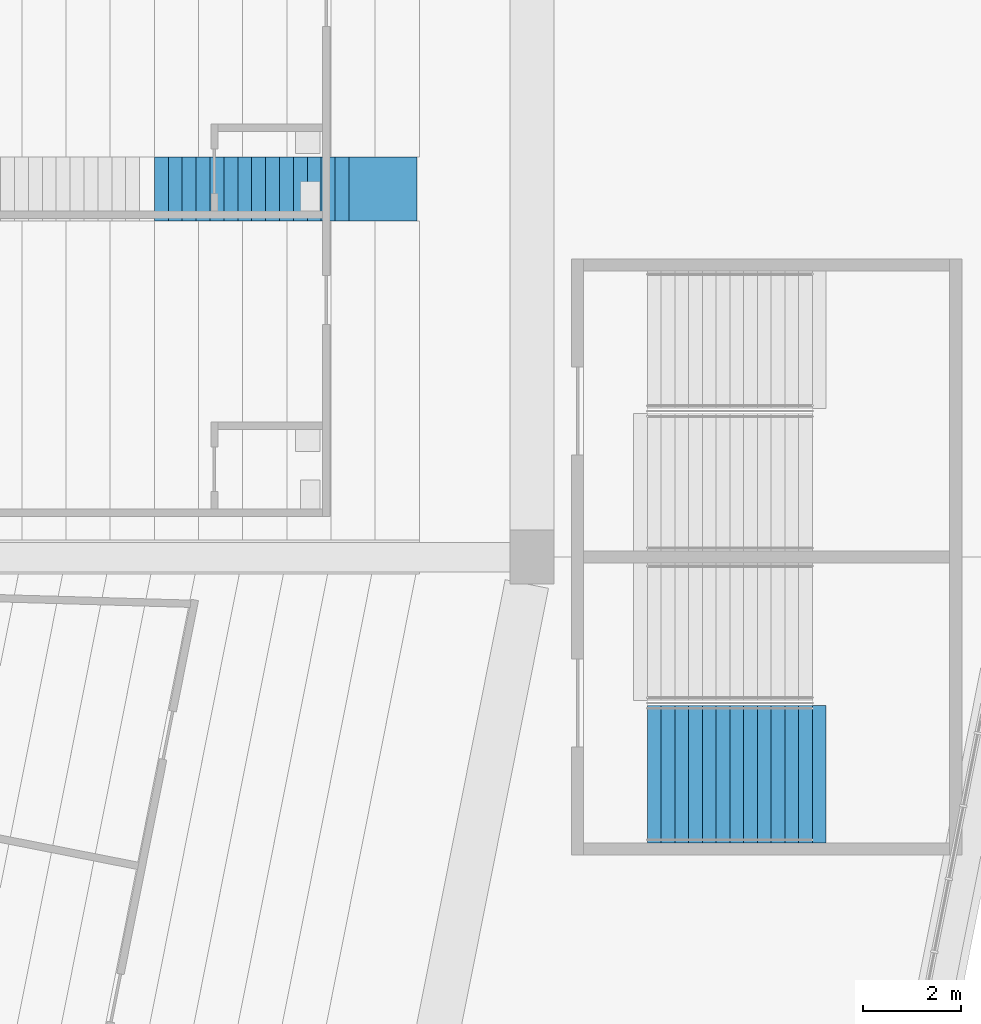
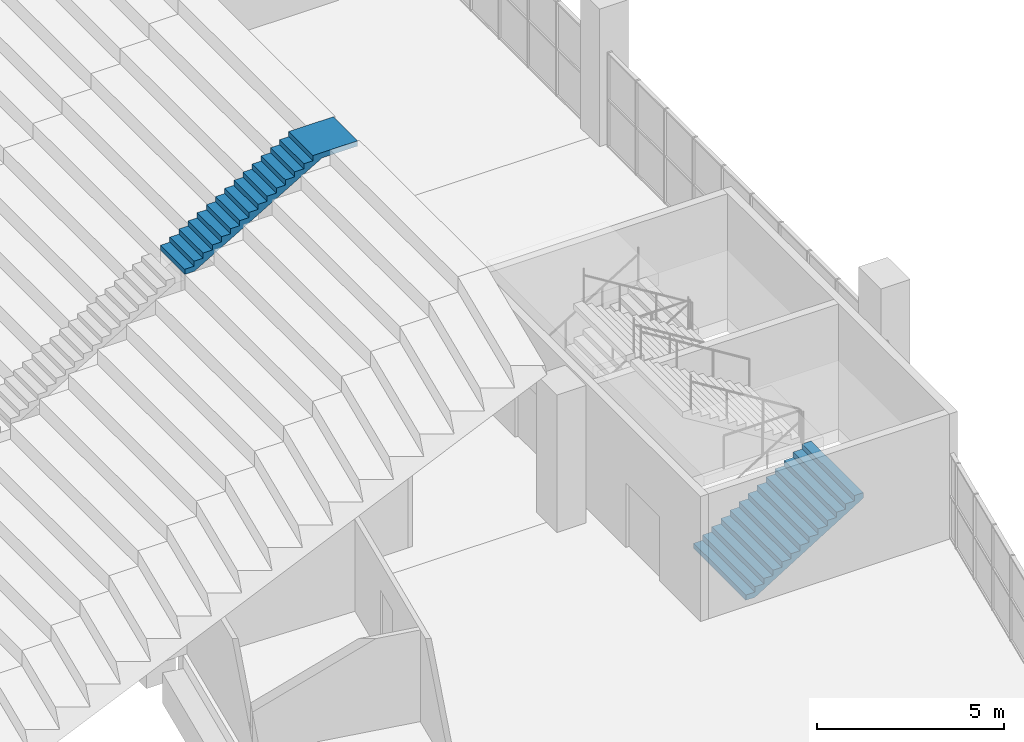
# One storey, part 175 of 249: 2 stair flights, 2 elements without a shape of their own.
"""IFC4 building model written with IfcOpenShell, lengths in metres."""

from ifc_helpers import new_model, si_unit, direction, frame, origin, place, context, subcontext, project, spatial, faceted_brep, material, type_object, element, aggregate, save


model = new_model("IFC4")

# Units and contexts
model_context = context("Model", 3, precision=1e-05, world=origin(), true_north=direction((0.0, 1.0)))
body_context = subcontext(model_context, "Body", "Model", "MODEL_VIEW")
ifc_project = project(units=[si_unit("LENGTHUNIT", "METRE"), si_unit("AREAUNIT", "SQUARE_METRE"), si_unit("VOLUMEUNIT", "CUBIC_METRE"), si_unit("PLANEANGLEUNIT", "RADIAN"), si_unit("MASSUNIT", "GRAM", prefix="KILO")], contexts=[model_context])

# Site, building, storey
site_placement = place(None, origin())
site = spatial("IfcSite", under=ifc_project, at=site_placement, CompositionType="ELEMENT")
building_placement = place(site_placement, origin())
building = spatial("IfcBuilding", under=site, at=building_placement, Name="Ogive Plaza Stadium", CompositionType="ELEMENT")
storey_placement = place(building_placement, frame((0.0, 0.0, 13.5)))
storey = spatial("IfcBuildingStorey", under=building, at=storey_placement, Name="L03", CompositionType="ELEMENT", Elevation=13.5)

# Stair, stair flight
ifc_material_1 = material(Name="Concrete C40/50", Category="concrete")
stair_type_1 = type_object("IfcStairType", Name="Aisle stair", PredefinedType="STRAIGHT_RUN_STAIR", material=ifc_material_1)
stair_1_placement = place(storey_placement, origin())
stair_1 = element("IfcStair", 1, at=stair_1_placement, inside=storey, type_object=stair_type_1, Name="Aisle stair SA07U", PredefinedType="STRAIGHT_RUN_STAIR")
ifc_material_2 = material(Name="Concrete C40/50", Category="concrete")
stair_flight_type_1 = type_object("IfcStairFlightType", Name="Aisle stair flight", PredefinedType="STRAIGHT", material=ifc_material_2)
stair_flight_1_placement = place(storey_placement, frame((66.300048828125, -45.0, 6.5), z_axis=(0.0, 0.0, 1.0), x_axis=(1.0, 0.0, 0.0)))
stair_flight_1 = element("IfcStairFlight", 2, at=stair_flight_1_placement, type_object=stair_flight_type_1, Name="SA07U flight 3", NumberOfRisers=15, NumberOfTreads=14, PredefinedType="STRAIGHT", RiserHeight=0.166666667, TreadLength=0.283333333, context=body_context, shape_type="Brep", body=[
    faceted_brep([(0.295654296875, -0.64990234375, 0.0), (4.25, -0.64990234375, 2.326171875), (5.35009765625, -0.64990234375, 2.326171875), (5.35009765625, -0.64990234375, 2.5), (3.966552734375, -0.64990234375, 2.5), (3.966552734375, -0.64990234375, 2.333251953125), (3.683349609375, -0.64990234375, 2.333251953125), (3.683349609375, -0.64990234375, 2.166748046875), (3.39990234375, -0.64990234375, 2.166748046875), (3.39990234375, -0.64990234375, 2.0), (3.11669921875, -0.64990234375, 2.0), (3.11669921875, -0.64990234375, 1.833251953125), (2.833251953125, -0.64990234375, 1.833251953125), (2.833251953125, -0.64990234375, 1.666748046875), (2.550048828125, -0.64990234375, 1.666748046875), (2.550048828125, -0.64990234375, 1.5), (2.2666015625, -0.64990234375, 1.5), (2.2666015625, -0.64990234375, 1.333251953125), (1.9833984375, -0.64990234375, 1.333251953125), (1.9833984375, -0.64990234375, 1.166748046875), (1.699951171875, -0.64990234375, 1.166748046875), (1.699951171875, -0.64990234375, 1.0), (1.416748046875, -0.64990234375, 1.0), (1.416748046875, -0.64990234375, 0.833251953125), (1.13330078125, -0.64990234375, 0.833251953125), (1.13330078125, -0.64990234375, 0.666748046875), (0.85009765625, -0.64990234375, 0.666748046875), (0.85009765625, -0.64990234375, 0.5), (0.566650390625, -0.64990234375, 0.5), (0.566650390625, -0.64990234375, 0.333251953125), (0.283447265625, -0.64990234375, 0.333251953125), (0.283447265625, -0.64990234375, 0.166748046875), (0.0, -0.64990234375, 0.166748046875), (0.0, -0.64990234375, 0.0), (0.0, 0.64990234375, 0.0), (0.0, 0.64990234375, 0.166748046875), (0.283447265625, 0.64990234375, 0.166748046875), (0.283447265625, 0.64990234375, 0.333251953125), (0.566650390625, 0.64990234375, 0.333251953125), (0.566650390625, 0.64990234375, 0.5), (0.85009765625, 0.64990234375, 0.5), (0.85009765625, 0.64990234375, 0.666748046875), (1.13330078125, 0.64990234375, 0.666748046875), (1.13330078125, 0.64990234375, 0.833251953125), (1.416748046875, 0.64990234375, 0.833251953125), (1.416748046875, 0.64990234375, 1.0), (1.699951171875, 0.64990234375, 1.0), (1.699951171875, 0.64990234375, 1.166748046875), (1.9833984375, 0.64990234375, 1.166748046875), (1.9833984375, 0.64990234375, 1.333251953125), (2.2666015625, 0.64990234375, 1.333251953125), (2.2666015625, 0.64990234375, 1.5), (2.550048828125, 0.64990234375, 1.5), (2.550048828125, 0.64990234375, 1.666748046875), (2.833251953125, 0.64990234375, 1.666748046875), (2.833251953125, 0.64990234375, 1.833251953125), (3.11669921875, 0.64990234375, 1.833251953125), (3.11669921875, 0.64990234375, 2.0), (3.39990234375, 0.64990234375, 2.0), (3.39990234375, 0.64990234375, 2.166748046875), (3.683349609375, 0.64990234375, 2.166748046875), (3.683349609375, 0.64990234375, 2.333251953125), (3.966552734375, 0.64990234375, 2.333251953125), (3.966552734375, 0.64990234375, 2.5), (5.35009765625, 0.64990234375, 2.5), (5.35009765625, 0.64990234375, 2.326171875), (4.25, 0.64990234375, 2.326171875), (0.295654296875, 0.64990234375, 0.0), (0.295654296875, -0.324951171875, 0.0), (4.25, -0.324951171875, 2.326171875), (0.295654296875, 0.0, 0.0), (4.25, 0.0, 2.326171875), (0.295654296875, 0.324951171875, 0.0), (4.25, 0.324951171875, 2.326171875), (5.35009765625, -0.324951171875, 2.326171875), (5.35009765625, 0.0, 2.326171875), (5.35009765625, 0.324951171875, 2.326171875), (5.35009765625, -0.324951171875, 2.5), (5.35009765625, 0.0, 2.5), (5.35009765625, 0.324951171875, 2.5), (3.966552734375, -0.324951171875, 2.5), (3.966552734375, 0.0, 2.5), (3.966552734375, 0.324951171875, 2.5), (3.966552734375, -0.324951171875, 2.333251953125), (3.966552734375, 0.0, 2.333251953125), (3.966552734375, 0.324951171875, 2.333251953125), (3.683349609375, -0.324951171875, 2.333251953125), (3.683349609375, 0.0, 2.333251953125), (3.683349609375, 0.324951171875, 2.333251953125), (3.683349609375, -0.324951171875, 2.166748046875), (3.683349609375, 0.0, 2.166748046875), (3.683349609375, 0.324951171875, 2.166748046875), (3.39990234375, -0.324951171875, 2.166748046875), (3.39990234375, 0.0, 2.166748046875), (3.39990234375, 0.324951171875, 2.166748046875), (3.39990234375, -0.324951171875, 2.0), (3.39990234375, 0.0, 2.0), (3.39990234375, 0.324951171875, 2.0), (3.11669921875, -0.324951171875, 2.0), (3.11669921875, 0.0, 2.0), (3.11669921875, 0.324951171875, 2.0), (3.11669921875, -0.324951171875, 1.833251953125), (3.11669921875, 0.0, 1.833251953125), (3.11669921875, 0.324951171875, 1.833251953125), (2.833251953125, -0.324951171875, 1.833251953125), (2.833251953125, 0.0, 1.833251953125), (2.833251953125, 0.324951171875, 1.833251953125), (2.833251953125, -0.324951171875, 1.666748046875), (2.833251953125, 0.0, 1.666748046875), (2.833251953125, 0.324951171875, 1.666748046875), (2.550048828125, -0.324951171875, 1.666748046875), (2.550048828125, 0.0, 1.666748046875), (2.550048828125, 0.324951171875, 1.666748046875), (2.550048828125, -0.324951171875, 1.5), (2.550048828125, 0.0, 1.5), (2.550048828125, 0.324951171875, 1.5), (2.2666015625, -0.324951171875, 1.5), (2.2666015625, 0.0, 1.5), (2.2666015625, 0.324951171875, 1.5), (2.2666015625, -0.324951171875, 1.333251953125), (2.2666015625, 0.0, 1.333251953125), (2.2666015625, 0.324951171875, 1.333251953125), (1.9833984375, -0.324951171875, 1.333251953125), (1.9833984375, 0.0, 1.333251953125), (1.9833984375, 0.324951171875, 1.333251953125), (1.9833984375, -0.324951171875, 1.166748046875), (1.9833984375, 0.0, 1.166748046875), (1.9833984375, 0.324951171875, 1.166748046875), (1.699951171875, -0.324951171875, 1.166748046875), (1.699951171875, 0.0, 1.166748046875), (1.699951171875, 0.324951171875, 1.166748046875), (1.699951171875, -0.324951171875, 1.0), (1.699951171875, 0.0, 1.0), (1.699951171875, 0.324951171875, 1.0), (1.416748046875, -0.324951171875, 1.0), (1.416748046875, 0.0, 1.0), (1.416748046875, 0.324951171875, 1.0), (1.416748046875, -0.324951171875, 0.833251953125), (1.416748046875, 0.0, 0.833251953125), (1.416748046875, 0.324951171875, 0.833251953125), (1.13330078125, -0.324951171875, 0.833251953125), (1.13330078125, 0.0, 0.833251953125), (1.13330078125, 0.324951171875, 0.833251953125), (1.13330078125, -0.324951171875, 0.666748046875), (1.13330078125, 0.0, 0.666748046875), (1.13330078125, 0.324951171875, 0.666748046875), (0.85009765625, -0.324951171875, 0.666748046875), (0.85009765625, 0.0, 0.666748046875), (0.85009765625, 0.324951171875, 0.666748046875), (0.85009765625, -0.324951171875, 0.5), (0.85009765625, 0.0, 0.5), (0.85009765625, 0.324951171875, 0.5), (0.566650390625, -0.324951171875, 0.5), (0.566650390625, 0.0, 0.5), (0.566650390625, 0.324951171875, 0.5), (0.566650390625, -0.324951171875, 0.333251953125), (0.566650390625, 0.0, 0.333251953125), (0.566650390625, 0.324951171875, 0.333251953125), (0.283447265625, -0.324951171875, 0.333251953125), (0.283447265625, 0.0, 0.333251953125), (0.283447265625, 0.324951171875, 0.333251953125), (0.283447265625, -0.324951171875, 0.166748046875), (0.283447265625, 0.0, 0.166748046875), (0.283447265625, 0.324951171875, 0.166748046875), (0.0, -0.324951171875, 0.166748046875), (0.0, 0.0, 0.166748046875), (0.0, 0.324951171875, 0.166748046875), (0.0, -0.324951171875, 0.0), (0.0, 0.0, 0.0), (0.0, 0.324951171875, 0.0)], [[[0, 1, 2, 3, 4, 5, 6, 7, 8, 9, 10, 11, 12, 13, 14, 15, 16, 17, 18, 19, 20, 21, 22, 23, 24, 25, 26, 27, 28, 29, 30, 31, 32, 33]], [[34, 35, 36, 37, 38, 39, 40, 41, 42, 43, 44, 45, 46, 47, 48, 49, 50, 51, 52, 53, 54, 55, 56, 57, 58, 59, 60, 61, 62, 63, 64, 65, 66, 67]], [[0, 68, 69, 1]], [[68, 70, 71, 69]], [[70, 72, 73, 71]], [[72, 67, 66, 73]], [[1, 69, 74, 2]], [[69, 71, 75, 74]], [[71, 73, 76, 75]], [[73, 66, 65, 76]], [[2, 74, 77, 3]], [[74, 75, 78, 77]], [[75, 76, 79, 78]], [[76, 65, 64, 79]], [[3, 77, 80, 4]], [[77, 78, 81, 80]], [[78, 79, 82, 81]], [[79, 64, 63, 82]], [[4, 80, 83, 5]], [[80, 81, 84, 83]], [[81, 82, 85, 84]], [[82, 63, 62, 85]], [[5, 83, 86, 6]], [[83, 84, 87, 86]], [[84, 85, 88, 87]], [[85, 62, 61, 88]], [[6, 86, 89, 7]], [[86, 87, 90, 89]], [[87, 88, 91, 90]], [[88, 61, 60, 91]], [[7, 89, 92, 8]], [[89, 90, 93, 92]], [[90, 91, 94, 93]], [[91, 60, 59, 94]], [[8, 92, 95, 9]], [[92, 93, 96, 95]], [[93, 94, 97, 96]], [[94, 59, 58, 97]], [[9, 95, 98, 10]], [[95, 96, 99, 98]], [[96, 97, 100, 99]], [[97, 58, 57, 100]], [[10, 98, 101, 11]], [[98, 99, 102, 101]], [[99, 100, 103, 102]], [[100, 57, 56, 103]], [[11, 101, 104, 12]], [[101, 102, 105, 104]], [[102, 103, 106, 105]], [[103, 56, 55, 106]], [[12, 104, 107, 13]], [[104, 105, 108, 107]], [[105, 106, 109, 108]], [[106, 55, 54, 109]], [[13, 107, 110, 14]], [[107, 108, 111, 110]], [[108, 109, 112, 111]], [[109, 54, 53, 112]], [[14, 110, 113, 15]], [[110, 111, 114, 113]], [[111, 112, 115, 114]], [[112, 53, 52, 115]], [[15, 113, 116, 16]], [[113, 114, 117, 116]], [[114, 115, 118, 117]], [[115, 52, 51, 118]], [[16, 116, 119, 17]], [[116, 117, 120, 119]], [[117, 118, 121, 120]], [[118, 51, 50, 121]], [[17, 119, 122, 18]], [[119, 120, 123, 122]], [[120, 121, 124, 123]], [[121, 50, 49, 124]], [[18, 122, 125, 19]], [[122, 123, 126, 125]], [[123, 124, 127, 126]], [[124, 49, 48, 127]], [[19, 125, 128, 20]], [[125, 126, 129, 128]], [[126, 127, 130, 129]], [[127, 48, 47, 130]], [[20, 128, 131, 21]], [[128, 129, 132, 131]], [[129, 130, 133, 132]], [[130, 47, 46, 133]], [[21, 131, 134, 22]], [[131, 132, 135, 134]], [[132, 133, 136, 135]], [[133, 46, 45, 136]], [[22, 134, 137, 23]], [[134, 135, 138, 137]], [[135, 136, 139, 138]], [[136, 45, 44, 139]], [[23, 137, 140, 24]], [[137, 138, 141, 140]], [[138, 139, 142, 141]], [[139, 44, 43, 142]], [[24, 140, 143, 25]], [[140, 141, 144, 143]], [[141, 142, 145, 144]], [[142, 43, 42, 145]], [[25, 143, 146, 26]], [[143, 144, 147, 146]], [[144, 145, 148, 147]], [[145, 42, 41, 148]], [[26, 146, 149, 27]], [[146, 147, 150, 149]], [[147, 148, 151, 150]], [[148, 41, 40, 151]], [[27, 149, 152, 28]], [[149, 150, 153, 152]], [[150, 151, 154, 153]], [[151, 40, 39, 154]], [[28, 152, 155, 29]], [[152, 153, 156, 155]], [[153, 154, 157, 156]], [[154, 39, 38, 157]], [[29, 155, 158, 30]], [[155, 156, 159, 158]], [[156, 157, 160, 159]], [[157, 38, 37, 160]], [[30, 158, 161, 31]], [[158, 159, 162, 161]], [[159, 160, 163, 162]], [[160, 37, 36, 163]], [[31, 161, 164, 32]], [[161, 162, 165, 164]], [[162, 163, 166, 165]], [[163, 36, 35, 166]], [[32, 164, 167, 33]], [[164, 165, 168, 167]], [[165, 166, 169, 168]], [[166, 35, 34, 169]], [[33, 167, 68, 0]], [[167, 168, 70, 68]], [[168, 169, 72, 70]], [[169, 34, 67, 72]]]),
])
aggregate(stair_1, [stair_flight_1])

ifc_material_3 = material(Name="Concrete C40/50", Category="concrete")
stair_type_2 = type_object("IfcStairType", Name="Exit stair", PredefinedType="STRAIGHT_RUN_STAIR", material=ifc_material_3)
stair_2_placement = place(storey_placement, origin())
stair_2 = element("IfcStair", 3, at=stair_2_placement, inside=storey, type_object=stair_type_2, Name="Exit stair ST08A L03 to L04", PredefinedType="STRAIGHT_RUN_STAIR")
ifc_material_4 = material(Name="Concrete C40/50", Category="concrete")
stair_flight_type_2 = type_object("IfcStairFlightType", Name="Exit stair flight", PredefinedType="STRAIGHT", material=ifc_material_4)
stair_flight_2_placement = place(storey_placement, frame((76.35009765625, -56.925048828125, 0.0), z_axis=(0.0, 0.0, 1.0), x_axis=(1.0, 0.0, 0.0)))
stair_flight_2 = element("IfcStairFlight", 4, at=stair_flight_2_placement, type_object=stair_flight_type_2, Name="ST08A flight 1", NumberOfRisers=13, NumberOfTreads=12, PredefinedType="STRAIGHT", RiserHeight=0.173076923, TreadLength=0.28, context=body_context, shape_type="Brep", body=[
    faceted_brep([(0.28515625, -1.39990234375, 0.0), (3.639892578125, -1.39990234375, 2.07373046875), (3.639892578125, -1.39990234375, 2.25), (3.360107421875, -1.39990234375, 2.25), (3.360107421875, -1.39990234375, 2.076904296875), (3.080078125, -1.39990234375, 2.076904296875), (3.080078125, -1.39990234375, 1.90380859375), (2.800048828125, -1.39990234375, 1.90380859375), (2.800048828125, -1.39990234375, 1.730712890625), (2.52001953125, -1.39990234375, 1.730712890625), (2.52001953125, -1.39990234375, 1.5576171875), (2.239990234375, -1.39990234375, 1.5576171875), (2.239990234375, -1.39990234375, 1.384521484375), (1.9599609375, -1.39990234375, 1.384521484375), (1.9599609375, -1.39990234375, 1.21142578125), (1.679931640625, -1.39990234375, 1.21142578125), (1.679931640625, -1.39990234375, 1.03857421875), (1.39990234375, -1.39990234375, 1.03857421875), (1.39990234375, -1.39990234375, 0.865478515625), (1.1201171875, -1.39990234375, 0.865478515625), (1.1201171875, -1.39990234375, 0.6923828125), (0.840087890625, -1.39990234375, 0.6923828125), (0.840087890625, -1.39990234375, 0.519287109375), (0.56005859375, -1.39990234375, 0.519287109375), (0.56005859375, -1.39990234375, 0.34619140625), (0.280029296875, -1.39990234375, 0.34619140625), (0.280029296875, -1.39990234375, 0.173095703125), (0.0, -1.39990234375, 0.173095703125), (0.0, -1.39990234375, 0.0), (0.0, 1.39990234375, 0.0), (0.0, 1.39990234375, 0.173095703125), (0.280029296875, 1.39990234375, 0.173095703125), (0.280029296875, 1.39990234375, 0.34619140625), (0.56005859375, 1.39990234375, 0.34619140625), (0.56005859375, 1.39990234375, 0.519287109375), (0.840087890625, 1.39990234375, 0.519287109375), (0.840087890625, 1.39990234375, 0.6923828125), (1.1201171875, 1.39990234375, 0.6923828125), (1.1201171875, 1.39990234375, 0.865478515625), (1.39990234375, 1.39990234375, 0.865478515625), (1.39990234375, 1.39990234375, 1.03857421875), (1.679931640625, 1.39990234375, 1.03857421875), (1.679931640625, 1.39990234375, 1.21142578125), (1.9599609375, 1.39990234375, 1.21142578125), (1.9599609375, 1.39990234375, 1.384521484375), (2.239990234375, 1.39990234375, 1.384521484375), (2.239990234375, 1.39990234375, 1.5576171875), (2.52001953125, 1.39990234375, 1.5576171875), (2.52001953125, 1.39990234375, 1.730712890625), (2.800048828125, 1.39990234375, 1.730712890625), (2.800048828125, 1.39990234375, 1.90380859375), (3.080078125, 1.39990234375, 1.90380859375), (3.080078125, 1.39990234375, 2.076904296875), (3.360107421875, 1.39990234375, 2.076904296875), (3.360107421875, 1.39990234375, 2.25), (3.639892578125, 1.39990234375, 2.25), (3.639892578125, 1.39990234375, 2.07373046875), (0.28515625, 1.39990234375, 0.0), (0.28515625, -1.0888671875, 0.0), (3.639892578125, -1.0888671875, 2.07373046875), (0.28515625, -0.77783203125, 0.0), (3.639892578125, -0.77783203125, 2.07373046875), (0.28515625, -0.466796875, 0.0), (3.639892578125, -0.466796875, 2.07373046875), (0.28515625, -0.155517578125, 0.0), (3.639892578125, -0.155517578125, 2.07373046875), (0.28515625, 0.155517578125, 0.0), (3.639892578125, 0.155517578125, 2.07373046875), (0.28515625, 0.466796875, 0.0), (3.639892578125, 0.466796875, 2.07373046875), (0.28515625, 0.77783203125, 0.0), (3.639892578125, 0.77783203125, 2.07373046875), (0.28515625, 1.0888671875, 0.0), (3.639892578125, 1.0888671875, 2.07373046875), (3.639892578125, -1.0888671875, 2.25), (3.639892578125, -0.77783203125, 2.25), (3.639892578125, -0.466796875, 2.25), (3.639892578125, -0.155517578125, 2.25), (3.639892578125, 0.155517578125, 2.25), (3.639892578125, 0.466796875, 2.25), (3.639892578125, 0.77783203125, 2.25), (3.639892578125, 1.0888671875, 2.25), (3.360107421875, -1.0888671875, 2.25), (3.360107421875, -0.77783203125, 2.25), (3.360107421875, -0.466796875, 2.25), (3.360107421875, -0.155517578125, 2.25), (3.360107421875, 0.155517578125, 2.25), (3.360107421875, 0.466796875, 2.25), (3.360107421875, 0.77783203125, 2.25), (3.360107421875, 1.0888671875, 2.25), (3.360107421875, -1.0888671875, 2.076904296875), (3.360107421875, -0.77783203125, 2.076904296875), (3.360107421875, -0.466796875, 2.076904296875), (3.360107421875, -0.155517578125, 2.076904296875), (3.360107421875, 0.155517578125, 2.076904296875), (3.360107421875, 0.466796875, 2.076904296875), (3.360107421875, 0.77783203125, 2.076904296875), (3.360107421875, 1.0888671875, 2.076904296875), (3.080078125, -1.0888671875, 2.076904296875), (3.080078125, -0.77783203125, 2.076904296875), (3.080078125, -0.466796875, 2.076904296875), (3.080078125, -0.155517578125, 2.076904296875), (3.080078125, 0.155517578125, 2.076904296875), (3.080078125, 0.466796875, 2.076904296875), (3.080078125, 0.77783203125, 2.076904296875), (3.080078125, 1.0888671875, 2.076904296875), (3.080078125, -1.0888671875, 1.90380859375), (3.080078125, -0.77783203125, 1.90380859375), (3.080078125, -0.466796875, 1.90380859375), (3.080078125, -0.155517578125, 1.90380859375), (3.080078125, 0.155517578125, 1.90380859375), (3.080078125, 0.466796875, 1.90380859375), (3.080078125, 0.77783203125, 1.90380859375), (3.080078125, 1.0888671875, 1.90380859375), (2.800048828125, -1.0888671875, 1.90380859375), (2.800048828125, -0.77783203125, 1.90380859375), (2.800048828125, -0.466796875, 1.90380859375), (2.800048828125, -0.155517578125, 1.90380859375), (2.800048828125, 0.155517578125, 1.90380859375), (2.800048828125, 0.466796875, 1.90380859375), (2.800048828125, 0.77783203125, 1.90380859375), (2.800048828125, 1.0888671875, 1.90380859375), (2.800048828125, -1.0888671875, 1.730712890625), (2.800048828125, -0.77783203125, 1.730712890625), (2.800048828125, -0.466796875, 1.730712890625), (2.800048828125, -0.155517578125, 1.730712890625), (2.800048828125, 0.155517578125, 1.730712890625), (2.800048828125, 0.466796875, 1.730712890625), (2.800048828125, 0.77783203125, 1.730712890625), (2.800048828125, 1.0888671875, 1.730712890625), (2.52001953125, -1.0888671875, 1.730712890625), (2.52001953125, -0.77783203125, 1.730712890625), (2.52001953125, -0.466796875, 1.730712890625), (2.52001953125, -0.155517578125, 1.730712890625), (2.52001953125, 0.155517578125, 1.730712890625), (2.52001953125, 0.466796875, 1.730712890625), (2.52001953125, 0.77783203125, 1.730712890625), (2.52001953125, 1.0888671875, 1.730712890625), (2.52001953125, -1.0888671875, 1.5576171875), (2.52001953125, -0.77783203125, 1.5576171875), (2.52001953125, -0.466796875, 1.5576171875), (2.52001953125, -0.155517578125, 1.5576171875), (2.52001953125, 0.155517578125, 1.5576171875), (2.52001953125, 0.466796875, 1.5576171875), (2.52001953125, 0.77783203125, 1.5576171875), (2.52001953125, 1.0888671875, 1.5576171875), (2.239990234375, -1.0888671875, 1.5576171875), (2.239990234375, -0.77783203125, 1.5576171875), (2.239990234375, -0.466796875, 1.5576171875), (2.239990234375, -0.155517578125, 1.5576171875), (2.239990234375, 0.155517578125, 1.5576171875), (2.239990234375, 0.466796875, 1.5576171875), (2.239990234375, 0.77783203125, 1.5576171875), (2.239990234375, 1.0888671875, 1.5576171875), (2.239990234375, -1.0888671875, 1.384521484375), (2.239990234375, -0.77783203125, 1.384521484375), (2.239990234375, -0.466796875, 1.384521484375), (2.239990234375, -0.155517578125, 1.384521484375), (2.239990234375, 0.155517578125, 1.384521484375), (2.239990234375, 0.466796875, 1.384521484375), (2.239990234375, 0.77783203125, 1.384521484375), (2.239990234375, 1.0888671875, 1.384521484375), (1.9599609375, -1.0888671875, 1.384521484375), (1.9599609375, -0.77783203125, 1.384521484375), (1.9599609375, -0.466796875, 1.384521484375), (1.9599609375, -0.155517578125, 1.384521484375), (1.9599609375, 0.155517578125, 1.384521484375), (1.9599609375, 0.466796875, 1.384521484375), (1.9599609375, 0.77783203125, 1.384521484375), (1.9599609375, 1.0888671875, 1.384521484375), (1.9599609375, -1.0888671875, 1.21142578125), (1.9599609375, -0.77783203125, 1.21142578125), (1.9599609375, -0.466796875, 1.21142578125), (1.9599609375, -0.155517578125, 1.21142578125), (1.9599609375, 0.155517578125, 1.21142578125), (1.9599609375, 0.466796875, 1.21142578125), (1.9599609375, 0.77783203125, 1.21142578125), (1.9599609375, 1.0888671875, 1.21142578125), (1.679931640625, -1.0888671875, 1.21142578125), (1.679931640625, -0.77783203125, 1.21142578125), (1.679931640625, -0.466796875, 1.21142578125), (1.679931640625, -0.155517578125, 1.21142578125), (1.679931640625, 0.155517578125, 1.21142578125), (1.679931640625, 0.466796875, 1.21142578125), (1.679931640625, 0.77783203125, 1.21142578125), (1.679931640625, 1.0888671875, 1.21142578125), (1.679931640625, -1.0888671875, 1.03857421875), (1.679931640625, -0.77783203125, 1.03857421875), (1.679931640625, -0.466796875, 1.03857421875), (1.679931640625, -0.155517578125, 1.03857421875), (1.679931640625, 0.155517578125, 1.03857421875), (1.679931640625, 0.466796875, 1.03857421875), (1.679931640625, 0.77783203125, 1.03857421875), (1.679931640625, 1.0888671875, 1.03857421875), (1.39990234375, -1.0888671875, 1.03857421875), (1.39990234375, -0.77783203125, 1.03857421875), (1.39990234375, -0.466796875, 1.03857421875), (1.39990234375, -0.155517578125, 1.03857421875), (1.39990234375, 0.155517578125, 1.03857421875), (1.39990234375, 0.466796875, 1.03857421875), (1.39990234375, 0.77783203125, 1.03857421875), (1.39990234375, 1.0888671875, 1.03857421875), (1.39990234375, -1.0888671875, 0.865478515625), (1.39990234375, -0.77783203125, 0.865478515625), (1.39990234375, -0.466796875, 0.865478515625), (1.39990234375, -0.155517578125, 0.865478515625), (1.39990234375, 0.155517578125, 0.865478515625), (1.39990234375, 0.466796875, 0.865478515625), (1.39990234375, 0.77783203125, 0.865478515625), (1.39990234375, 1.0888671875, 0.865478515625), (1.1201171875, -1.0888671875, 0.865478515625), (1.1201171875, -0.77783203125, 0.865478515625), (1.1201171875, -0.466796875, 0.865478515625), (1.1201171875, -0.155517578125, 0.865478515625), (1.1201171875, 0.155517578125, 0.865478515625), (1.1201171875, 0.466796875, 0.865478515625), (1.1201171875, 0.77783203125, 0.865478515625), (1.1201171875, 1.0888671875, 0.865478515625), (1.1201171875, -1.0888671875, 0.6923828125), (1.1201171875, -0.77783203125, 0.6923828125), (1.1201171875, -0.466796875, 0.6923828125), (1.1201171875, -0.155517578125, 0.6923828125), (1.1201171875, 0.155517578125, 0.6923828125), (1.1201171875, 0.466796875, 0.6923828125), (1.1201171875, 0.77783203125, 0.6923828125), (1.1201171875, 1.0888671875, 0.6923828125), (0.840087890625, -1.0888671875, 0.6923828125), (0.840087890625, -0.77783203125, 0.6923828125), (0.840087890625, -0.466796875, 0.6923828125), (0.840087890625, -0.155517578125, 0.6923828125), (0.840087890625, 0.155517578125, 0.6923828125), (0.840087890625, 0.466796875, 0.6923828125), (0.840087890625, 0.77783203125, 0.6923828125), (0.840087890625, 1.0888671875, 0.6923828125), (0.840087890625, -1.0888671875, 0.519287109375), (0.840087890625, -0.77783203125, 0.519287109375), (0.840087890625, -0.466796875, 0.519287109375), (0.840087890625, -0.155517578125, 0.519287109375), (0.840087890625, 0.155517578125, 0.519287109375), (0.840087890625, 0.466796875, 0.519287109375), (0.840087890625, 0.77783203125, 0.519287109375), (0.840087890625, 1.0888671875, 0.519287109375), (0.56005859375, -1.0888671875, 0.519287109375), (0.56005859375, -0.77783203125, 0.519287109375), (0.56005859375, -0.466796875, 0.519287109375), (0.56005859375, -0.155517578125, 0.519287109375), (0.56005859375, 0.155517578125, 0.519287109375), (0.56005859375, 0.466796875, 0.519287109375), (0.56005859375, 0.77783203125, 0.519287109375), (0.56005859375, 1.0888671875, 0.519287109375), (0.56005859375, -1.0888671875, 0.34619140625), (0.56005859375, -0.77783203125, 0.34619140625), (0.56005859375, -0.466796875, 0.34619140625), (0.56005859375, -0.155517578125, 0.34619140625), (0.56005859375, 0.155517578125, 0.34619140625), (0.56005859375, 0.466796875, 0.34619140625), (0.56005859375, 0.77783203125, 0.34619140625), (0.56005859375, 1.0888671875, 0.34619140625), (0.280029296875, -1.0888671875, 0.34619140625), (0.280029296875, -0.77783203125, 0.34619140625), (0.280029296875, -0.466796875, 0.34619140625), (0.280029296875, -0.155517578125, 0.34619140625), (0.280029296875, 0.155517578125, 0.34619140625), (0.280029296875, 0.466796875, 0.34619140625), (0.280029296875, 0.77783203125, 0.34619140625), (0.280029296875, 1.0888671875, 0.34619140625), (0.280029296875, -1.0888671875, 0.173095703125), (0.280029296875, -0.77783203125, 0.173095703125), (0.280029296875, -0.466796875, 0.173095703125), (0.280029296875, -0.155517578125, 0.173095703125), (0.280029296875, 0.155517578125, 0.173095703125), (0.280029296875, 0.466796875, 0.173095703125), (0.280029296875, 0.77783203125, 0.173095703125), (0.280029296875, 1.0888671875, 0.173095703125), (0.0, -1.0888671875, 0.173095703125), (0.0, -0.77783203125, 0.173095703125), (0.0, -0.466796875, 0.173095703125), (0.0, -0.155517578125, 0.173095703125), (0.0, 0.155517578125, 0.173095703125), (0.0, 0.466796875, 0.173095703125), (0.0, 0.77783203125, 0.173095703125), (0.0, 1.0888671875, 0.173095703125), (0.0, -1.0888671875, 0.0), (0.0, -0.77783203125, 0.0), (0.0, -0.466796875, 0.0), (0.0, -0.155517578125, 0.0), (0.0, 0.155517578125, 0.0), (0.0, 0.466796875, 0.0), (0.0, 0.77783203125, 0.0), (0.0, 1.0888671875, 0.0)], [[[0, 1, 2, 3, 4, 5, 6, 7, 8, 9, 10, 11, 12, 13, 14, 15, 16, 17, 18, 19, 20, 21, 22, 23, 24, 25, 26, 27, 28]], [[29, 30, 31, 32, 33, 34, 35, 36, 37, 38, 39, 40, 41, 42, 43, 44, 45, 46, 47, 48, 49, 50, 51, 52, 53, 54, 55, 56, 57]], [[0, 58, 59, 1]], [[58, 60, 61, 59]], [[60, 62, 63, 61]], [[62, 64, 65, 63]], [[64, 66, 67, 65]], [[66, 68, 69, 67]], [[68, 70, 71, 69]], [[70, 72, 73, 71]], [[72, 57, 56, 73]], [[1, 59, 74, 2]], [[59, 61, 75, 74]], [[61, 63, 76, 75]], [[63, 65, 77, 76]], [[65, 67, 78, 77]], [[67, 69, 79, 78]], [[69, 71, 80, 79]], [[71, 73, 81, 80]], [[73, 56, 55, 81]], [[2, 74, 82, 3]], [[74, 75, 83, 82]], [[75, 76, 84, 83]], [[76, 77, 85, 84]], [[77, 78, 86, 85]], [[78, 79, 87, 86]], [[79, 80, 88, 87]], [[80, 81, 89, 88]], [[81, 55, 54, 89]], [[3, 82, 90, 4]], [[82, 83, 91, 90]], [[83, 84, 92, 91]], [[84, 85, 93, 92]], [[85, 86, 94, 93]], [[86, 87, 95, 94]], [[87, 88, 96, 95]], [[88, 89, 97, 96]], [[89, 54, 53, 97]], [[4, 90, 98, 5]], [[90, 91, 99, 98]], [[91, 92, 100, 99]], [[92, 93, 101, 100]], [[93, 94, 102, 101]], [[94, 95, 103, 102]], [[95, 96, 104, 103]], [[96, 97, 105, 104]], [[97, 53, 52, 105]], [[5, 98, 106, 6]], [[98, 99, 107, 106]], [[99, 100, 108, 107]], [[100, 101, 109, 108]], [[101, 102, 110, 109]], [[102, 103, 111, 110]], [[103, 104, 112, 111]], [[104, 105, 113, 112]], [[105, 52, 51, 113]], [[6, 106, 114, 7]], [[106, 107, 115, 114]], [[107, 108, 116, 115]], [[108, 109, 117, 116]], [[109, 110, 118, 117]], [[110, 111, 119, 118]], [[111, 112, 120, 119]], [[112, 113, 121, 120]], [[113, 51, 50, 121]], [[7, 114, 122, 8]], [[114, 115, 123, 122]], [[115, 116, 124, 123]], [[116, 117, 125, 124]], [[117, 118, 126, 125]], [[118, 119, 127, 126]], [[119, 120, 128, 127]], [[120, 121, 129, 128]], [[121, 50, 49, 129]], [[8, 122, 130, 9]], [[122, 123, 131, 130]], [[123, 124, 132, 131]], [[124, 125, 133, 132]], [[125, 126, 134, 133]], [[126, 127, 135, 134]], [[127, 128, 136, 135]], [[128, 129, 137, 136]], [[129, 49, 48, 137]], [[9, 130, 138, 10]], [[130, 131, 139, 138]], [[131, 132, 140, 139]], [[132, 133, 141, 140]], [[133, 134, 142, 141]], [[134, 135, 143, 142]], [[135, 136, 144, 143]], [[136, 137, 145, 144]], [[137, 48, 47, 145]], [[10, 138, 146, 11]], [[138, 139, 147, 146]], [[139, 140, 148, 147]], [[140, 141, 149, 148]], [[141, 142, 150, 149]], [[142, 143, 151, 150]], [[143, 144, 152, 151]], [[144, 145, 153, 152]], [[145, 47, 46, 153]], [[11, 146, 154, 12]], [[146, 147, 155, 154]], [[147, 148, 156, 155]], [[148, 149, 157, 156]], [[149, 150, 158, 157]], [[150, 151, 159, 158]], [[151, 152, 160, 159]], [[152, 153, 161, 160]], [[153, 46, 45, 161]], [[12, 154, 162, 13]], [[154, 155, 163, 162]], [[155, 156, 164, 163]], [[156, 157, 165, 164]], [[157, 158, 166, 165]], [[158, 159, 167, 166]], [[159, 160, 168, 167]], [[160, 161, 169, 168]], [[161, 45, 44, 169]], [[13, 162, 170, 14]], [[162, 163, 171, 170]], [[163, 164, 172, 171]], [[164, 165, 173, 172]], [[165, 166, 174, 173]], [[166, 167, 175, 174]], [[167, 168, 176, 175]], [[168, 169, 177, 176]], [[169, 44, 43, 177]], [[14, 170, 178, 15]], [[170, 171, 179, 178]], [[171, 172, 180, 179]], [[172, 173, 181, 180]], [[173, 174, 182, 181]], [[174, 175, 183, 182]], [[175, 176, 184, 183]], [[176, 177, 185, 184]], [[177, 43, 42, 185]], [[15, 178, 186, 16]], [[178, 179, 187, 186]], [[179, 180, 188, 187]], [[180, 181, 189, 188]], [[181, 182, 190, 189]], [[182, 183, 191, 190]], [[183, 184, 192, 191]], [[184, 185, 193, 192]], [[185, 42, 41, 193]], [[16, 186, 194, 17]], [[186, 187, 195, 194]], [[187, 188, 196, 195]], [[188, 189, 197, 196]], [[189, 190, 198, 197]], [[190, 191, 199, 198]], [[191, 192, 200, 199]], [[192, 193, 201, 200]], [[193, 41, 40, 201]], [[17, 194, 202, 18]], [[194, 195, 203, 202]], [[195, 196, 204, 203]], [[196, 197, 205, 204]], [[197, 198, 206, 205]], [[198, 199, 207, 206]], [[199, 200, 208, 207]], [[200, 201, 209, 208]], [[201, 40, 39, 209]], [[18, 202, 210, 19]], [[202, 203, 211, 210]], [[203, 204, 212, 211]], [[204, 205, 213, 212]], [[205, 206, 214, 213]], [[206, 207, 215, 214]], [[207, 208, 216, 215]], [[208, 209, 217, 216]], [[209, 39, 38, 217]], [[19, 210, 218, 20]], [[210, 211, 219, 218]], [[211, 212, 220, 219]], [[212, 213, 221, 220]], [[213, 214, 222, 221]], [[214, 215, 223, 222]], [[215, 216, 224, 223]], [[216, 217, 225, 224]], [[217, 38, 37, 225]], [[20, 218, 226, 21]], [[218, 219, 227, 226]], [[219, 220, 228, 227]], [[220, 221, 229, 228]], [[221, 222, 230, 229]], [[222, 223, 231, 230]], [[223, 224, 232, 231]], [[224, 225, 233, 232]], [[225, 37, 36, 233]], [[21, 226, 234, 22]], [[226, 227, 235, 234]], [[227, 228, 236, 235]], [[228, 229, 237, 236]], [[229, 230, 238, 237]], [[230, 231, 239, 238]], [[231, 232, 240, 239]], [[232, 233, 241, 240]], [[233, 36, 35, 241]], [[22, 234, 242, 23]], [[234, 235, 243, 242]], [[235, 236, 244, 243]], [[236, 237, 245, 244]], [[237, 238, 246, 245]], [[238, 239, 247, 246]], [[239, 240, 248, 247]], [[240, 241, 249, 248]], [[241, 35, 34, 249]], [[23, 242, 250, 24]], [[242, 243, 251, 250]], [[243, 244, 252, 251]], [[244, 245, 253, 252]], [[245, 246, 254, 253]], [[246, 247, 255, 254]], [[247, 248, 256, 255]], [[248, 249, 257, 256]], [[249, 34, 33, 257]], [[24, 250, 258, 25]], [[250, 251, 259, 258]], [[251, 252, 260, 259]], [[252, 253, 261, 260]], [[253, 254, 262, 261]], [[254, 255, 263, 262]], [[255, 256, 264, 263]], [[256, 257, 265, 264]], [[257, 33, 32, 265]], [[25, 258, 266, 26]], [[258, 259, 267, 266]], [[259, 260, 268, 267]], [[260, 261, 269, 268]], [[261, 262, 270, 269]], [[262, 263, 271, 270]], [[263, 264, 272, 271]], [[264, 265, 273, 272]], [[265, 32, 31, 273]], [[26, 266, 274, 27]], [[266, 267, 275, 274]], [[267, 268, 276, 275]], [[268, 269, 277, 276]], [[269, 270, 278, 277]], [[270, 271, 279, 278]], [[271, 272, 280, 279]], [[272, 273, 281, 280]], [[273, 31, 30, 281]], [[27, 274, 282, 28]], [[274, 275, 283, 282]], [[275, 276, 284, 283]], [[276, 277, 285, 284]], [[277, 278, 286, 285]], [[278, 279, 287, 286]], [[279, 280, 288, 287]], [[280, 281, 289, 288]], [[281, 30, 29, 289]], [[28, 282, 58, 0]], [[282, 283, 60, 58]], [[283, 284, 62, 60]], [[284, 285, 64, 62]], [[285, 286, 66, 64]], [[286, 287, 68, 66]], [[287, 288, 70, 68]], [[288, 289, 72, 70]], [[289, 29, 57, 72]]]),
])
aggregate(stair_2, [stair_flight_2])

save(model, "model.ifc")
